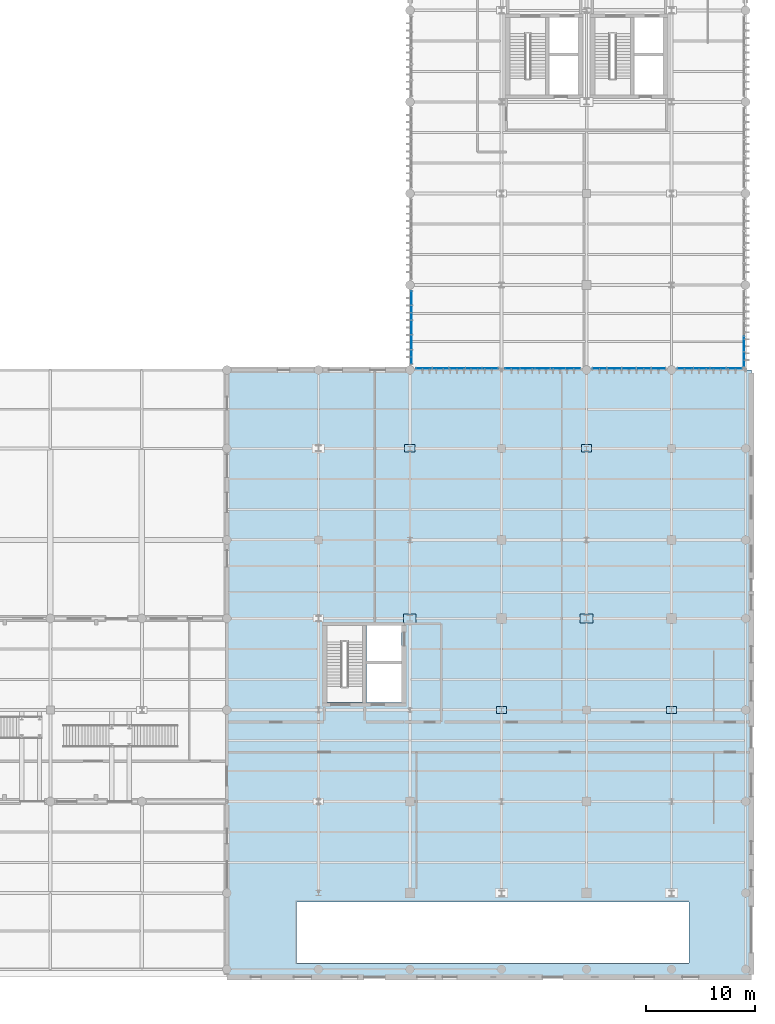
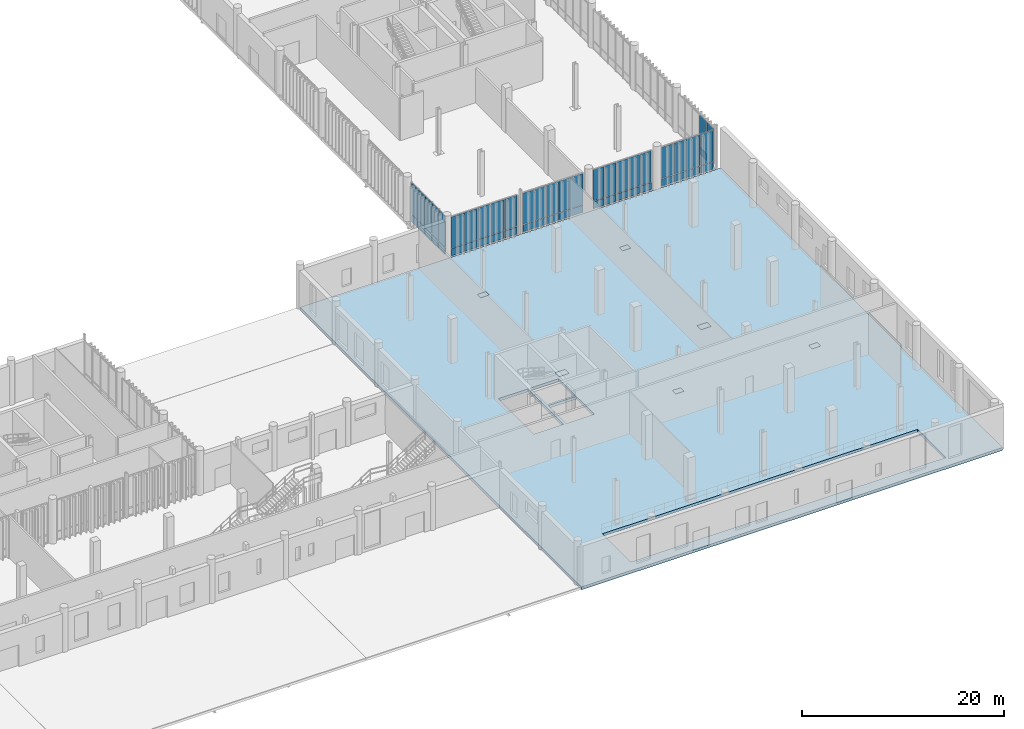
# One storey, part 81 of 112: 58 plates, 1 slab, 6 elements without a shape of their own.
"""IFC4 building model written with IfcOpenShell, lengths in metres."""

from ifc_helpers import new_model, si_unit, direction, frame, frame_2d, origin_with_axes, origin_2d_with_axis, place, context, subcontext, project, spatial, polyline, rectangle, outline, extrude, material, layer, layer_set, type_object, element, aggregate, save


model = new_model("IFC4")

# Units and contexts
model_context = context("Model", 3, precision=1e-05, world=origin_with_axes(), true_north=direction((0.0, 1.0)))
body_context = subcontext(model_context, "Body", "Model", "MODEL_VIEW")
ifc_project = project(units=[si_unit("LENGTHUNIT", "METRE"), si_unit("AREAUNIT", "SQUARE_METRE"), si_unit("VOLUMEUNIT", "CUBIC_METRE"), si_unit("PLANEANGLEUNIT", "RADIAN"), si_unit("MASSUNIT", "GRAM", prefix="KILO"), si_unit("THERMODYNAMICTEMPERATUREUNIT", "KELVIN")], contexts=[model_context])

# Site, building, storey
site_placement = place(None, origin_with_axes())
site = spatial("IfcSite", under=ifc_project, at=site_placement, CompositionType="ELEMENT")
building_placement = place(site_placement, origin_with_axes())
building = spatial("IfcBuilding", under=site, at=building_placement, Name="Montbau Bow Law Courts", CompositionType="ELEMENT")
storey_placement = place(building_placement, origin_with_axes())
storey = spatial("IfcBuildingStorey", under=building, at=storey_placement, Name="L00", CompositionType="ELEMENT", Elevation=0.0)

# Plates
ifc_material_1 = material(Name="Steel CSA G40.21 Grade 350WT (350 MPa)", Category="steel")
ifc_layer_1 = layer(ifc_material_1, 0.065, Name="Base Plate", Category="steel")
ifc_layer_set_1 = layer_set([ifc_layer_1], Name="Steel CSA G40.21 Grade 350WT (350 MPa)")
plate_type_1 = type_object("IfcPlateType", Name="PL-BAS-01", PredefinedType="USERDEFINED", material=ifc_layer_set_1)
for number, where, z_axis, x_axis, name in (
    (1, (138.6, 39.0, -0.065), (0.0, 0.0, 1.0), (1.0, 0.0, 0.0), "BP-288:plt_0016"),
    (2, (154.8, 39.0, -0.065), (0.0, 0.0, 1.0), (1.0, 0.0, 0.0), "BP-318:plt_0023"),
):
    element("IfcPlate", number, at=place(None, frame(where, z_axis=z_axis, x_axis=x_axis)), inside=storey, type_object=plate_type_1, Name=name, ObjectType="BASE_PLATE", PredefinedType="USERDEFINED", context=body_context, shape_type="SweptSolid", body=[
        extrude(rectangle(XDim=1.15, YDim=0.8, at=origin_2d_with_axis()), origin_with_axes(), (0.0, 0.0, 1.0), 0.065),
    ])
ifc_material_2 = material(Name="Steel CSA G40.21 Grade 350W (350 MPa)", Category="steel")
ifc_layer_2 = layer(ifc_material_2, 0.05, Name="Base Plate", Category="steel")
ifc_layer_set_2 = layer_set([ifc_layer_2], Name="Steel CSA G40.21 Grade 350W (350 MPa)")
plate_type_2 = type_object("IfcPlateType", Name="PL-BAS-02", PredefinedType="USERDEFINED", material=ifc_layer_set_2)
for number, where, z_axis, x_axis, name in (
    (3, (138.6, 54.6, -0.05), (0.0, 0.0, 1.0), (1.0, 0.0, 0.0), "BP-290:plt_0017"),
    (4, (147.0, 30.6, -0.05), (0.0, 0.0, 1.0), (1.0, 0.0, 0.0), "BP-302:plt_0019"),
    (5, (154.8, 54.6, -0.05), (0.0, 0.0, 1.0), (1.0, 0.0, 0.0), "BP-320:plt_0024"),
    (6, (162.6, 30.6, -0.05), (0.0, 0.0, 1.0), (1.0, 0.0, 0.0), "BP-332:plt_0028"),
):
    element("IfcPlate", number, at=place(None, frame(where, z_axis=z_axis, x_axis=x_axis)), inside=storey, type_object=plate_type_2, Name=name, ObjectType="BASE_PLATE", PredefinedType="USERDEFINED", context=body_context, shape_type="SweptSolid", body=[
        extrude(rectangle(XDim=0.96, YDim=0.68, at=origin_2d_with_axis()), origin_with_axes(), (0.0, 0.0, 1.0), 0.05),
    ])

# Curtain wall, plates
ifc_material_3 = material(Name="Thermally Broken Extruded Aluminium AA 6063-T6", Category="aluminium")
curtain_wall_type = type_object("IfcCurtainWallType", Name="CW-SLT-01", PredefinedType="NOTDEFINED", material=ifc_material_3)
curtain_wall_1_placement = place(None, frame((139.115, 61.94, 0.0), z_axis=(0.0, 0.0, 1.0), x_axis=(1.0, 0.0, 0.0)))
curtain_wall_1 = element("IfcCurtainWall", 7, at=curtain_wall_1_placement, inside=storey, type_object=curtain_wall_type, Name="CW-L00-259:cw_0259", PredefinedType="NOTDEFINED")
ifc_material_4 = material(Name="Triple-Glazed Low-E Argon Insulating Glass Unit", Category="glass")
ifc_layer_3 = layer(ifc_material_4, 0.044, Name="Curtain Panel", Category="glass")
ifc_layer_set_3 = layer_set([ifc_layer_3], Name="Triple-Glazed Low-E Argon Insulating Glass Unit")
plate_type_3 = type_object("IfcPlateType", Name="PL-CWP-01", PredefinedType="CURTAIN_PANEL", material=ifc_layer_set_3)
plate_1_placement = place(None, frame((139.183, 61.94, 0.979), z_axis=(0.0, -1.0, 0.0), x_axis=(1.0, 0.0, 0.0)))
plate_1 = element("IfcPlate", 8, at=plate_1_placement, type_object=plate_type_3, Name="CW-L00-259-P01-2:cw_0259_P01_2", PredefinedType="CURTAIN_PANEL", context=body_context, shape_type="SweptSolid", body=[
    extrude(rectangle(XDim=1.42, YDim=3.785, at=frame_2d((0.71, 1.8925), x_axis=(1.0, 0.0))), frame((0.0, 0.0, -0.022), z_axis=(0.0, 0.0, 1.0), x_axis=(1.0, 0.0, 0.0)), (0.0, 0.0, 1.0), 0.044),
])
plate_2_placement = place(None, frame((140.672, 61.94, 0.979), z_axis=(0.0, -1.0, 0.0), x_axis=(1.0, 0.0, 0.0)))
plate_2 = element("IfcPlate", 9, at=plate_2_placement, type_object=plate_type_3, Name="CW-L00-259-P02-2:cw_0259_P02_2", PredefinedType="CURTAIN_PANEL", context=body_context, shape_type="SweptSolid", body=[
    extrude(rectangle(XDim=1.456, YDim=3.785, at=frame_2d((0.728, 1.8925), x_axis=(1.0, 0.0))), frame((0.0, 0.0, -0.022), z_axis=(0.0, 0.0, 1.0), x_axis=(1.0, 0.0, 0.0)), (0.0, 0.0, 1.0), 0.044),
])
plate_3_placement = place(None, frame((142.197, 61.94, 0.979), z_axis=(0.0, -1.0, 0.0), x_axis=(1.0, 0.0, 0.0)))
plate_3 = element("IfcPlate", 10, at=plate_3_placement, type_object=plate_type_3, Name="CW-L00-259-P03-2:cw_0259_P03_2", PredefinedType="CURTAIN_PANEL", context=body_context, shape_type="SweptSolid", body=[
    extrude(rectangle(XDim=1.454, YDim=3.785, at=frame_2d((0.727, 1.8925), x_axis=(1.0, 0.0))), frame((0.0, 0.0, -0.022), z_axis=(0.0, 0.0, 1.0), x_axis=(1.0, 0.0, 0.0)), (0.0, 0.0, 1.0), 0.044),
])
plate_4_placement = place(None, frame((143.719, 61.94, 0.979), z_axis=(0.0, -1.0, 0.0), x_axis=(1.0, 0.0, 0.0)))
plate_4 = element("IfcPlate", 11, at=plate_4_placement, type_object=plate_type_3, Name="CW-L00-259-P04-2:cw_0259_P04_2", PredefinedType="CURTAIN_PANEL", context=body_context, shape_type="SweptSolid", body=[
    extrude(rectangle(XDim=1.456, YDim=3.785, at=frame_2d((0.728, 1.8925), x_axis=(1.0, 0.0))), frame((0.0, 0.0, -0.022), z_axis=(0.0, 0.0, 1.0), x_axis=(1.0, 0.0, 0.0)), (0.0, 0.0, 1.0), 0.044),
])
plate_5_placement = place(None, frame((145.243, 61.94, 0.979), z_axis=(0.0, -1.0, 0.0), x_axis=(1.0, 0.0, 0.0)))
plate_5 = element("IfcPlate", 12, at=plate_5_placement, type_object=plate_type_3, Name="CW-L00-259-P05-2:cw_0259_P05_2", PredefinedType="CURTAIN_PANEL", context=body_context, shape_type="SweptSolid", body=[
    extrude(rectangle(XDim=1.422, YDim=3.785, at=frame_2d((0.711, 1.8925), x_axis=(1.0, 0.0))), frame((0.0, 0.0, -0.022), z_axis=(0.0, 0.0, 1.0), x_axis=(1.0, 0.0, 0.0)), (0.0, 0.0, 1.0), 0.044),
])

curtain_wall_2_placement = place(None, frame((147.268, 61.94, 0.0), z_axis=(0.0, 0.0, 1.0), x_axis=(1.0, 0.0, 0.0)))
curtain_wall_2 = element("IfcCurtainWall", 13, at=curtain_wall_2_placement, inside=storey, type_object=curtain_wall_type, Name="CW-L00-260:cw_0260", PredefinedType="NOTDEFINED")
plate_6_placement = place(None, frame((147.33, 61.94, 0.982), z_axis=(0.0, -1.0, 0.0), x_axis=(1.0, 0.0, 0.0)))
plate_6 = element("IfcPlate", 14, at=plate_6_placement, type_object=plate_type_3, Name="CW-L00-260-P01-2:cw_0260_P01_2", PredefinedType="CURTAIN_PANEL", context=body_context, shape_type="SweptSolid", body=[
    extrude(rectangle(XDim=1.309, YDim=3.776, at=frame_2d((0.6545, 1.888), x_axis=(1.0, 0.0))), frame((0.0, 0.0, -0.022), z_axis=(0.0, 0.0, 1.0), x_axis=(1.0, 0.0, 0.0)), (0.0, 0.0, 1.0), 0.044),
])
plate_7_placement = place(None, frame((148.703, 61.94, 0.982), z_axis=(0.0, -1.0, 0.0), x_axis=(1.0, 0.0, 0.0)))
plate_7 = element("IfcPlate", 15, at=plate_7_placement, type_object=plate_type_3, Name="CW-L00-260-P02-2:cw_0260_P02_2", PredefinedType="CURTAIN_PANEL", context=body_context, shape_type="SweptSolid", body=[
    extrude(rectangle(XDim=1.34, YDim=3.776, at=frame_2d((0.67, 1.888), x_axis=(1.0, 0.0))), frame((0.0, 0.0, -0.022), z_axis=(0.0, 0.0, 1.0), x_axis=(1.0, 0.0, 0.0)), (0.0, 0.0, 1.0), 0.044),
])
plate_8_placement = place(None, frame((150.107, 61.94, 0.982), z_axis=(0.0, -1.0, 0.0), x_axis=(1.0, 0.0, 0.0)))
plate_8 = element("IfcPlate", 16, at=plate_8_placement, type_object=plate_type_3, Name="CW-L00-260-P03-2:cw_0260_P03_2", PredefinedType="CURTAIN_PANEL", context=body_context, shape_type="SweptSolid", body=[
    extrude(rectangle(XDim=1.339, YDim=3.776, at=frame_2d((0.6695, 1.888), x_axis=(1.0, 0.0))), frame((0.0, 0.0, -0.022), z_axis=(0.0, 0.0, 1.0), x_axis=(1.0, 0.0, 0.0)), (0.0, 0.0, 1.0), 0.044),
])
plate_9_placement = place(None, frame((151.51, 61.94, 0.982), z_axis=(0.0, -1.0, 0.0), x_axis=(1.0, 0.0, 0.0)))
plate_9 = element("IfcPlate", 17, at=plate_9_placement, type_object=plate_type_3, Name="CW-L00-260-P04-2:cw_0260_P04_2", PredefinedType="CURTAIN_PANEL", context=body_context, shape_type="SweptSolid", body=[
    extrude(rectangle(XDim=1.34, YDim=3.776, at=frame_2d((0.67, 1.888), x_axis=(1.0, 0.0))), frame((0.0, 0.0, -0.022), z_axis=(0.0, 0.0, 1.0), x_axis=(1.0, 0.0, 0.0)), (0.0, 0.0, 1.0), 0.044),
])
plate_10_placement = place(None, frame((152.914, 61.94, 0.982), z_axis=(0.0, -1.0, 0.0), x_axis=(1.0, 0.0, 0.0)))
plate_10 = element("IfcPlate", 18, at=plate_10_placement, type_object=plate_type_3, Name="CW-L00-260-P05-2:cw_0260_P05_2", PredefinedType="CURTAIN_PANEL", context=body_context, shape_type="SweptSolid", body=[
    extrude(rectangle(XDim=1.309, YDim=3.776, at=frame_2d((0.6545, 1.888), x_axis=(1.0, 0.0))), frame((0.0, 0.0, -0.022), z_axis=(0.0, 0.0, 1.0), x_axis=(1.0, 0.0, 0.0)), (0.0, 0.0, 1.0), 0.044),
])

curtain_wall_3_placement = place(None, frame((155.315, 61.94, 0.0), z_axis=(0.0, 0.0, 1.0), x_axis=(1.0, 0.0, 0.0)))
curtain_wall_3 = element("IfcCurtainWall", 19, at=curtain_wall_3_placement, inside=storey, type_object=curtain_wall_type, Name="CW-L00-261:cw_0261", PredefinedType="NOTDEFINED")
plate_11_placement = place(None, frame((155.391, 61.94, 0.979), z_axis=(0.0, -1.0, 0.0), x_axis=(1.0, 0.0, 0.0)))
plate_11 = element("IfcPlate", 20, at=plate_11_placement, type_object=plate_type_3, Name="CW-L00-261-P01-2:cw_0261_P01_2", PredefinedType="CURTAIN_PANEL", context=body_context, shape_type="SweptSolid", body=[
    extrude(rectangle(XDim=1.239, YDim=3.785, at=frame_2d((0.6195, 1.8925), x_axis=(1.0, 0.0))), frame((0.0, 0.0, -0.022), z_axis=(0.0, 0.0, 1.0), x_axis=(1.0, 0.0, 0.0)), (0.0, 0.0, 1.0), 0.044),
])
plate_12_placement = place(None, frame((156.709, 61.94, 0.979), z_axis=(0.0, -1.0, 0.0), x_axis=(1.0, 0.0, 0.0)))
plate_12 = element("IfcPlate", 21, at=plate_12_placement, type_object=plate_type_3, Name="CW-L00-261-P02-2:cw_0261_P02_2", PredefinedType="CURTAIN_PANEL", context=body_context, shape_type="SweptSolid", body=[
    extrude(rectangle(XDim=1.275, YDim=3.785, at=frame_2d((0.6375, 1.8925), x_axis=(1.0, 0.0))), frame((0.0, 0.0, -0.022), z_axis=(0.0, 0.0, 1.0), x_axis=(1.0, 0.0, 0.0)), (0.0, 0.0, 1.0), 0.044),
])
plate_13_placement = place(None, frame((158.063, 61.94, 0.979), z_axis=(0.0, -1.0, 0.0), x_axis=(1.0, 0.0, 0.0)))
plate_13 = element("IfcPlate", 22, at=plate_13_placement, type_object=plate_type_3, Name="CW-L00-261-P03-2:cw_0261_P03_2", PredefinedType="CURTAIN_PANEL", context=body_context, shape_type="SweptSolid", body=[
    extrude(rectangle(XDim=1.275, YDim=3.785, at=frame_2d((0.6375, 1.8925), x_axis=(1.0, 0.0))), frame((0.0, 0.0, -0.022), z_axis=(0.0, 0.0, 1.0), x_axis=(1.0, 0.0, 0.0)), (0.0, 0.0, 1.0), 0.044),
])
plate_14_placement = place(None, frame((159.416, 61.94, 0.979), z_axis=(0.0, -1.0, 0.0), x_axis=(1.0, 0.0, 0.0)))
plate_14 = element("IfcPlate", 23, at=plate_14_placement, type_object=plate_type_3, Name="CW-L00-261-P04-2:cw_0261_P04_2", PredefinedType="CURTAIN_PANEL", context=body_context, shape_type="SweptSolid", body=[
    extrude(rectangle(XDim=1.276, YDim=3.785, at=frame_2d((0.638, 1.8925), x_axis=(1.0, 0.0))), frame((0.0, 0.0, -0.022), z_axis=(0.0, 0.0, 1.0), x_axis=(1.0, 0.0, 0.0)), (0.0, 0.0, 1.0), 0.044),
])
plate_15_placement = place(None, frame((160.77, 61.94, 0.979), z_axis=(0.0, -1.0, 0.0), x_axis=(1.0, 0.0, 0.0)))
plate_15 = element("IfcPlate", 24, at=plate_15_placement, type_object=plate_type_3, Name="CW-L00-261-P05-2:cw_0261_P05_2", PredefinedType="CURTAIN_PANEL", context=body_context, shape_type="SweptSolid", body=[
    extrude(rectangle(XDim=1.239, YDim=3.785, at=frame_2d((0.6195, 1.8925), x_axis=(1.0, 0.0))), frame((0.0, 0.0, -0.022), z_axis=(0.0, 0.0, 1.0), x_axis=(1.0, 0.0, 0.0)), (0.0, 0.0, 1.0), 0.044),
])

curtain_wall_4_placement = place(None, frame((163.115, 61.94, 0.0), z_axis=(0.0, 0.0, 1.0), x_axis=(1.0, 0.0, 0.0)))
curtain_wall_4 = element("IfcCurtainWall", 25, at=curtain_wall_4_placement, inside=storey, type_object=curtain_wall_type, Name="CW-L00-262:cw_0262", PredefinedType="NOTDEFINED")
plate_16_placement = place(None, frame((163.183, 61.94, 0.982), z_axis=(0.0, -1.0, 0.0), x_axis=(1.0, 0.0, 0.0)))
plate_16 = element("IfcPlate", 26, at=plate_16_placement, type_object=plate_type_3, Name="CW-L00-262-P01-2:cw_0262_P01_2", PredefinedType="CURTAIN_PANEL", context=body_context, shape_type="SweptSolid", body=[
    extrude(rectangle(XDim=1.402, YDim=3.776, at=frame_2d((0.701, 1.888), x_axis=(1.0, 0.0))), frame((0.0, 0.0, -0.022), z_axis=(0.0, 0.0, 1.0), x_axis=(1.0, 0.0, 0.0)), (0.0, 0.0, 1.0), 0.044),
])
plate_17_placement = place(None, frame((164.653, 61.94, 0.982), z_axis=(0.0, -1.0, 0.0), x_axis=(1.0, 0.0, 0.0)))
plate_17 = element("IfcPlate", 27, at=plate_17_placement, type_object=plate_type_3, Name="CW-L00-262-P02-2:cw_0262_P02_2", PredefinedType="CURTAIN_PANEL", context=body_context, shape_type="SweptSolid", body=[
    extrude(rectangle(XDim=1.436, YDim=3.776, at=frame_2d((0.718, 1.888), x_axis=(1.0, 0.0))), frame((0.0, 0.0, -0.022), z_axis=(0.0, 0.0, 1.0), x_axis=(1.0, 0.0, 0.0)), (0.0, 0.0, 1.0), 0.044),
])
plate_18_placement = place(None, frame((166.157, 61.94, 0.982), z_axis=(0.0, -1.0, 0.0), x_axis=(1.0, 0.0, 0.0)))
plate_18 = element("IfcPlate", 28, at=plate_18_placement, type_object=plate_type_3, Name="CW-L00-262-P03-2:cw_0262_P03_2", PredefinedType="CURTAIN_PANEL", context=body_context, shape_type="SweptSolid", body=[
    extrude(rectangle(XDim=1.437, YDim=3.776, at=frame_2d((0.7185, 1.888), x_axis=(1.0, 0.0))), frame((0.0, 0.0, -0.022), z_axis=(0.0, 0.0, 1.0), x_axis=(1.0, 0.0, 0.0)), (0.0, 0.0, 1.0), 0.044),
])
plate_19_placement = place(None, frame((167.662, 61.94, 0.982), z_axis=(0.0, -1.0, 0.0), x_axis=(1.0, 0.0, 0.0)))
plate_19 = element("IfcPlate", 29, at=plate_19_placement, type_object=plate_type_3, Name="CW-L00-262-P04-2:cw_0262_P04_2", PredefinedType="CURTAIN_PANEL", context=body_context, shape_type="SweptSolid", body=[
    extrude(rectangle(XDim=1.403, YDim=3.776, at=frame_2d((0.7015, 1.888), x_axis=(1.0, 0.0))), frame((0.0, 0.0, -0.022), z_axis=(0.0, 0.0, 1.0), x_axis=(1.0, 0.0, 0.0)), (0.0, 0.0, 1.0), 0.044),
])

curtain_wall_5_placement = place(None, frame((138.74, 62.315, 0.0), z_axis=(0.0, 0.0, 1.0), x_axis=(1.0, 0.0, 0.0)))
curtain_wall_5 = element("IfcCurtainWall", 30, at=curtain_wall_5_placement, inside=storey, type_object=curtain_wall_type, Name="CW-L00-267:cw_0267", PredefinedType="NOTDEFINED")
plate_20_placement = place(None, frame((138.74, 62.391, 0.979), z_axis=(1.0, 0.0, 0.0), x_axis=(0.0, 1.0, 0.0)))
plate_20 = element("IfcPlate", 31, at=plate_20_placement, type_object=plate_type_3, Name="CW-L00-267-P01-2:cw_0267_P01_2", PredefinedType="CURTAIN_PANEL", context=body_context, shape_type="SweptSolid", body=[
    extrude(rectangle(XDim=1.239, YDim=3.785, at=frame_2d((0.6195, 1.8925), x_axis=(1.0, 0.0))), frame((0.0, 0.0, -0.022), z_axis=(0.0, 0.0, 1.0), x_axis=(1.0, 0.0, 0.0)), (0.0, 0.0, 1.0), 0.044),
])
plate_21_placement = place(None, frame((138.74, 63.709, 0.979), z_axis=(1.0, 0.0, 0.0), x_axis=(0.0, 1.0, 0.0)))
plate_21 = element("IfcPlate", 32, at=plate_21_placement, type_object=plate_type_3, Name="CW-L00-267-P02-2:cw_0267_P02_2", PredefinedType="CURTAIN_PANEL", context=body_context, shape_type="SweptSolid", body=[
    extrude(rectangle(XDim=1.275, YDim=3.785, at=frame_2d((0.6375, 1.8925), x_axis=(1.0, 0.0))), frame((0.0, 0.0, -0.022), z_axis=(0.0, 0.0, 1.0), x_axis=(1.0, 0.0, 0.0)), (0.0, 0.0, 1.0), 0.044),
])
plate_22_placement = place(None, frame((138.74, 65.063, 0.979), z_axis=(1.0, 0.0, 0.0), x_axis=(0.0, 1.0, 0.0)))
plate_22 = element("IfcPlate", 33, at=plate_22_placement, type_object=plate_type_3, Name="CW-L00-267-P03-2:cw_0267_P03_2", PredefinedType="CURTAIN_PANEL", context=body_context, shape_type="SweptSolid", body=[
    extrude(rectangle(XDim=1.275, YDim=3.785, at=frame_2d((0.6375, 1.8925), x_axis=(1.0, 0.0))), frame((0.0, 0.0, -0.022), z_axis=(0.0, 0.0, 1.0), x_axis=(1.0, 0.0, 0.0)), (0.0, 0.0, 1.0), 0.044),
])
plate_23_placement = place(None, frame((138.74, 66.416, 0.979), z_axis=(1.0, 0.0, 0.0), x_axis=(0.0, 1.0, 0.0)))
plate_23 = element("IfcPlate", 34, at=plate_23_placement, type_object=plate_type_3, Name="CW-L00-267-P04-2:cw_0267_P04_2", PredefinedType="CURTAIN_PANEL", context=body_context, shape_type="SweptSolid", body=[
    extrude(rectangle(XDim=1.276, YDim=3.785, at=frame_2d((0.638, 1.8925), x_axis=(1.0, 0.0))), frame((0.0, 0.0, -0.022), z_axis=(0.0, 0.0, 1.0), x_axis=(1.0, 0.0, 0.0)), (0.0, 0.0, 1.0), 0.044),
])
plate_24_placement = place(None, frame((138.74, 67.77, 0.979), z_axis=(1.0, 0.0, 0.0), x_axis=(0.0, 1.0, 0.0)))
plate_24 = element("IfcPlate", 35, at=plate_24_placement, type_object=plate_type_3, Name="CW-L00-267-P05-2:cw_0267_P05_2", PredefinedType="CURTAIN_PANEL", context=body_context, shape_type="SweptSolid", body=[
    extrude(rectangle(XDim=1.238, YDim=3.785, at=frame_2d((0.619, 1.8925), x_axis=(1.0, 0.0))), frame((0.0, 0.0, -0.022), z_axis=(0.0, 0.0, 1.0), x_axis=(1.0, 0.0, 0.0)), (0.0, 0.0, 1.0), 0.044),
])

curtain_wall_6_placement = place(None, frame((169.26, 62.068, 0.0), z_axis=(0.0, 0.0, 1.0), x_axis=(1.0, 0.0, 0.0)))
curtain_wall_6 = element("IfcCurtainWall", 36, at=curtain_wall_6_placement, inside=storey, type_object=curtain_wall_type, Name="CW-L00-272:cw_0272", PredefinedType="NOTDEFINED")
plate_25_placement = place(None, frame((169.26, 62.13, 0.982), z_axis=(1.0, 0.0, 0.0), x_axis=(0.0, 1.0, 0.0)))
plate_25 = element("IfcPlate", 37, at=plate_25_placement, type_object=plate_type_3, Name="CW-L00-272-P01-2:cw_0272_P01_2", PredefinedType="CURTAIN_PANEL", context=body_context, shape_type="SweptSolid", body=[
    extrude(rectangle(XDim=1.309, YDim=3.776, at=frame_2d((0.6545, 1.888), x_axis=(1.0, 0.0))), frame((0.0, 0.0, -0.022), z_axis=(0.0, 0.0, 1.0), x_axis=(1.0, 0.0, 0.0)), (0.0, 0.0, 1.0), 0.044),
])
plate_26_placement = place(None, frame((169.26, 63.503, 0.982), z_axis=(1.0, 0.0, 0.0), x_axis=(0.0, 1.0, 0.0)))
plate_26 = element("IfcPlate", 38, at=plate_26_placement, type_object=plate_type_3, Name="CW-L00-272-P02-2:cw_0272_P02_2", PredefinedType="CURTAIN_PANEL", context=body_context, shape_type="SweptSolid", body=[
    extrude(rectangle(XDim=1.34, YDim=3.776, at=frame_2d((0.67, 1.888), x_axis=(1.0, 0.0))), frame((0.0, 0.0, -0.022), z_axis=(0.0, 0.0, 1.0), x_axis=(1.0, 0.0, 0.0)), (0.0, 0.0, 1.0), 0.044),
])

# Plate
ifc_material_5 = material(Name="Insulated Ceramic-Frit Spandrel Glazing Unit", Category="glass")
ifc_layer_4 = layer(ifc_material_5, 0.056, Name="Curtain Panel", Category="glass")
ifc_layer_set_4 = layer_set([ifc_layer_4], Name="Insulated Ceramic-Frit Spandrel Glazing Unit")
plate_type_4 = type_object("IfcPlateType", Name="PL-CWP-02", PredefinedType="CURTAIN_PANEL", material=ifc_layer_set_4)
plate_27_placement = place(None, frame((139.183, 61.94, 0.058), z_axis=(0.0, -1.0, 0.0), x_axis=(1.0, 0.0, 0.0)))
plate_27 = element("IfcPlate", 39, at=plate_27_placement, type_object=plate_type_4, Name="CW-L00-259-P01-1:cw_0259_P01_1", PredefinedType="CURTAIN_PANEL", context=body_context, shape_type="SweptSolid", body=[
    extrude(rectangle(XDim=1.42, YDim=0.862, at=frame_2d((0.71, 0.431), x_axis=(1.0, 0.0))), frame((0.0, 0.0, -0.028), z_axis=(0.0, 0.0, 1.0), x_axis=(1.0, 0.0, 0.0)), (0.0, 0.0, 1.0), 0.056),
])

plate_28_placement = place(None, frame((140.672, 61.94, 0.058), z_axis=(0.0, -1.0, 0.0), x_axis=(1.0, 0.0, 0.0)))
plate_28 = element("IfcPlate", 40, at=plate_28_placement, type_object=plate_type_4, Name="CW-L00-259-P02-1:cw_0259_P02_1", PredefinedType="CURTAIN_PANEL", context=body_context, shape_type="SweptSolid", body=[
    extrude(rectangle(XDim=1.456, YDim=0.862, at=frame_2d((0.728, 0.431), x_axis=(1.0, 0.0))), frame((0.0, 0.0, -0.028), z_axis=(0.0, 0.0, 1.0), x_axis=(1.0, 0.0, 0.0)), (0.0, 0.0, 1.0), 0.056),
])

plate_29_placement = place(None, frame((142.197, 61.94, 0.058), z_axis=(0.0, -1.0, 0.0), x_axis=(1.0, 0.0, 0.0)))
plate_29 = element("IfcPlate", 41, at=plate_29_placement, type_object=plate_type_4, Name="CW-L00-259-P03-1:cw_0259_P03_1", PredefinedType="CURTAIN_PANEL", context=body_context, shape_type="SweptSolid", body=[
    extrude(rectangle(XDim=1.454, YDim=0.862, at=frame_2d((0.727, 0.431), x_axis=(1.0, 0.0))), frame((0.0, 0.0, -0.028), z_axis=(0.0, 0.0, 1.0), x_axis=(1.0, 0.0, 0.0)), (0.0, 0.0, 1.0), 0.056),
])

plate_30_placement = place(None, frame((143.719, 61.94, 0.058), z_axis=(0.0, -1.0, 0.0), x_axis=(1.0, 0.0, 0.0)))
plate_30 = element("IfcPlate", 42, at=plate_30_placement, type_object=plate_type_4, Name="CW-L00-259-P04-1:cw_0259_P04_1", PredefinedType="CURTAIN_PANEL", context=body_context, shape_type="SweptSolid", body=[
    extrude(rectangle(XDim=1.456, YDim=0.862, at=frame_2d((0.728, 0.431), x_axis=(1.0, 0.0))), frame((0.0, 0.0, -0.028), z_axis=(0.0, 0.0, 1.0), x_axis=(1.0, 0.0, 0.0)), (0.0, 0.0, 1.0), 0.056),
])

plate_31_placement = place(None, frame((145.243, 61.94, 0.058), z_axis=(0.0, -1.0, 0.0), x_axis=(1.0, 0.0, 0.0)))
plate_31 = element("IfcPlate", 43, at=plate_31_placement, type_object=plate_type_4, Name="CW-L00-259-P05-1:cw_0259_P05_1", PredefinedType="CURTAIN_PANEL", context=body_context, shape_type="SweptSolid", body=[
    extrude(rectangle(XDim=1.422, YDim=0.862, at=frame_2d((0.711, 0.431), x_axis=(1.0, 0.0))), frame((0.0, 0.0, -0.028), z_axis=(0.0, 0.0, 1.0), x_axis=(1.0, 0.0, 0.0)), (0.0, 0.0, 1.0), 0.056),
])

aggregate(curtain_wall_1, [plate_27, plate_1, plate_28, plate_2, plate_29, plate_3, plate_30, plate_4, plate_31, plate_5])

plate_32_placement = place(None, frame((147.33, 61.94, 0.062), z_axis=(0.0, -1.0, 0.0), x_axis=(1.0, 0.0, 0.0)))
plate_32 = element("IfcPlate", 44, at=plate_32_placement, type_object=plate_type_4, Name="CW-L00-260-P01-1:cw_0260_P01_1", PredefinedType="CURTAIN_PANEL", context=body_context, shape_type="SweptSolid", body=[
    extrude(rectangle(XDim=1.309, YDim=0.856, at=frame_2d((0.6545, 0.428), x_axis=(1.0, 0.0))), frame((0.0, 0.0, -0.028), z_axis=(0.0, 0.0, 1.0), x_axis=(1.0, 0.0, 0.0)), (0.0, 0.0, 1.0), 0.056),
])

plate_33_placement = place(None, frame((148.703, 61.94, 0.062), z_axis=(0.0, -1.0, 0.0), x_axis=(1.0, 0.0, 0.0)))
plate_33 = element("IfcPlate", 45, at=plate_33_placement, type_object=plate_type_4, Name="CW-L00-260-P02-1:cw_0260_P02_1", PredefinedType="CURTAIN_PANEL", context=body_context, shape_type="SweptSolid", body=[
    extrude(rectangle(XDim=1.34, YDim=0.856, at=frame_2d((0.67, 0.428), x_axis=(1.0, 0.0))), frame((0.0, 0.0, -0.028), z_axis=(0.0, 0.0, 1.0), x_axis=(1.0, 0.0, 0.0)), (0.0, 0.0, 1.0), 0.056),
])

plate_34_placement = place(None, frame((150.107, 61.94, 0.062), z_axis=(0.0, -1.0, 0.0), x_axis=(1.0, 0.0, 0.0)))
plate_34 = element("IfcPlate", 46, at=plate_34_placement, type_object=plate_type_4, Name="CW-L00-260-P03-1:cw_0260_P03_1", PredefinedType="CURTAIN_PANEL", context=body_context, shape_type="SweptSolid", body=[
    extrude(rectangle(XDim=1.339, YDim=0.856, at=frame_2d((0.6695, 0.428), x_axis=(1.0, 0.0))), frame((0.0, 0.0, -0.028), z_axis=(0.0, 0.0, 1.0), x_axis=(1.0, 0.0, 0.0)), (0.0, 0.0, 1.0), 0.056),
])

plate_35_placement = place(None, frame((151.51, 61.94, 0.062), z_axis=(0.0, -1.0, 0.0), x_axis=(1.0, 0.0, 0.0)))
plate_35 = element("IfcPlate", 47, at=plate_35_placement, type_object=plate_type_4, Name="CW-L00-260-P04-1:cw_0260_P04_1", PredefinedType="CURTAIN_PANEL", context=body_context, shape_type="SweptSolid", body=[
    extrude(rectangle(XDim=1.34, YDim=0.856, at=frame_2d((0.67, 0.428), x_axis=(1.0, 0.0))), frame((0.0, 0.0, -0.028), z_axis=(0.0, 0.0, 1.0), x_axis=(1.0, 0.0, 0.0)), (0.0, 0.0, 1.0), 0.056),
])

plate_36_placement = place(None, frame((152.914, 61.94, 0.062), z_axis=(0.0, -1.0, 0.0), x_axis=(1.0, 0.0, 0.0)))
plate_36 = element("IfcPlate", 48, at=plate_36_placement, type_object=plate_type_4, Name="CW-L00-260-P05-1:cw_0260_P05_1", PredefinedType="CURTAIN_PANEL", context=body_context, shape_type="SweptSolid", body=[
    extrude(rectangle(XDim=1.309, YDim=0.856, at=frame_2d((0.6545, 0.428), x_axis=(1.0, 0.0))), frame((0.0, 0.0, -0.028), z_axis=(0.0, 0.0, 1.0), x_axis=(1.0, 0.0, 0.0)), (0.0, 0.0, 1.0), 0.056),
])

aggregate(curtain_wall_2, [plate_32, plate_6, plate_33, plate_7, plate_34, plate_8, plate_35, plate_9, plate_36, plate_10])

plate_37_placement = place(None, frame((155.391, 61.94, 0.058), z_axis=(0.0, -1.0, 0.0), x_axis=(1.0, 0.0, 0.0)))
plate_37 = element("IfcPlate", 49, at=plate_37_placement, type_object=plate_type_4, Name="CW-L00-261-P01-1:cw_0261_P01_1", PredefinedType="CURTAIN_PANEL", context=body_context, shape_type="SweptSolid", body=[
    extrude(rectangle(XDim=1.239, YDim=0.862, at=frame_2d((0.6195, 0.431), x_axis=(1.0, 0.0))), frame((0.0, 0.0, -0.028), z_axis=(0.0, 0.0, 1.0), x_axis=(1.0, 0.0, 0.0)), (0.0, 0.0, 1.0), 0.056),
])

plate_38_placement = place(None, frame((156.709, 61.94, 0.058), z_axis=(0.0, -1.0, 0.0), x_axis=(1.0, 0.0, 0.0)))
plate_38 = element("IfcPlate", 50, at=plate_38_placement, type_object=plate_type_4, Name="CW-L00-261-P02-1:cw_0261_P02_1", PredefinedType="CURTAIN_PANEL", context=body_context, shape_type="SweptSolid", body=[
    extrude(rectangle(XDim=1.275, YDim=0.862, at=frame_2d((0.6375, 0.431), x_axis=(1.0, 0.0))), frame((0.0, 0.0, -0.028), z_axis=(0.0, 0.0, 1.0), x_axis=(1.0, 0.0, 0.0)), (0.0, 0.0, 1.0), 0.056),
])

plate_39_placement = place(None, frame((158.063, 61.94, 0.058), z_axis=(0.0, -1.0, 0.0), x_axis=(1.0, 0.0, 0.0)))
plate_39 = element("IfcPlate", 51, at=plate_39_placement, type_object=plate_type_4, Name="CW-L00-261-P03-1:cw_0261_P03_1", PredefinedType="CURTAIN_PANEL", context=body_context, shape_type="SweptSolid", body=[
    extrude(rectangle(XDim=1.275, YDim=0.862, at=frame_2d((0.6375, 0.431), x_axis=(1.0, 0.0))), frame((0.0, 0.0, -0.028), z_axis=(0.0, 0.0, 1.0), x_axis=(1.0, 0.0, 0.0)), (0.0, 0.0, 1.0), 0.056),
])

plate_40_placement = place(None, frame((159.416, 61.94, 0.058), z_axis=(0.0, -1.0, 0.0), x_axis=(1.0, 0.0, 0.0)))
plate_40 = element("IfcPlate", 52, at=plate_40_placement, type_object=plate_type_4, Name="CW-L00-261-P04-1:cw_0261_P04_1", PredefinedType="CURTAIN_PANEL", context=body_context, shape_type="SweptSolid", body=[
    extrude(rectangle(XDim=1.276, YDim=0.862, at=frame_2d((0.638, 0.431), x_axis=(1.0, 0.0))), frame((0.0, 0.0, -0.028), z_axis=(0.0, 0.0, 1.0), x_axis=(1.0, 0.0, 0.0)), (0.0, 0.0, 1.0), 0.056),
])

plate_41_placement = place(None, frame((160.77, 61.94, 0.058), z_axis=(0.0, -1.0, 0.0), x_axis=(1.0, 0.0, 0.0)))
plate_41 = element("IfcPlate", 53, at=plate_41_placement, type_object=plate_type_4, Name="CW-L00-261-P05-1:cw_0261_P05_1", PredefinedType="CURTAIN_PANEL", context=body_context, shape_type="SweptSolid", body=[
    extrude(rectangle(XDim=1.239, YDim=0.862, at=frame_2d((0.6195, 0.431), x_axis=(1.0, 0.0))), frame((0.0, 0.0, -0.028), z_axis=(0.0, 0.0, 1.0), x_axis=(1.0, 0.0, 0.0)), (0.0, 0.0, 1.0), 0.056),
])

aggregate(curtain_wall_3, [plate_37, plate_11, plate_38, plate_12, plate_39, plate_13, plate_40, plate_14, plate_41, plate_15])

plate_42_placement = place(None, frame((163.183, 61.94, 0.062), z_axis=(0.0, -1.0, 0.0), x_axis=(1.0, 0.0, 0.0)))
plate_42 = element("IfcPlate", 54, at=plate_42_placement, type_object=plate_type_4, Name="CW-L00-262-P01-1:cw_0262_P01_1", PredefinedType="CURTAIN_PANEL", context=body_context, shape_type="SweptSolid", body=[
    extrude(rectangle(XDim=1.402, YDim=0.856, at=frame_2d((0.701, 0.428), x_axis=(1.0, 0.0))), frame((0.0, 0.0, -0.028), z_axis=(0.0, 0.0, 1.0), x_axis=(1.0, 0.0, 0.0)), (0.0, 0.0, 1.0), 0.056),
])

plate_43_placement = place(None, frame((164.653, 61.94, 0.062), z_axis=(0.0, -1.0, 0.0), x_axis=(1.0, 0.0, 0.0)))
plate_43 = element("IfcPlate", 55, at=plate_43_placement, type_object=plate_type_4, Name="CW-L00-262-P02-1:cw_0262_P02_1", PredefinedType="CURTAIN_PANEL", context=body_context, shape_type="SweptSolid", body=[
    extrude(rectangle(XDim=1.436, YDim=0.856, at=frame_2d((0.718, 0.428), x_axis=(1.0, 0.0))), frame((0.0, 0.0, -0.028), z_axis=(0.0, 0.0, 1.0), x_axis=(1.0, 0.0, 0.0)), (0.0, 0.0, 1.0), 0.056),
])

plate_44_placement = place(None, frame((166.157, 61.94, 0.062), z_axis=(0.0, -1.0, 0.0), x_axis=(1.0, 0.0, 0.0)))
plate_44 = element("IfcPlate", 56, at=plate_44_placement, type_object=plate_type_4, Name="CW-L00-262-P03-1:cw_0262_P03_1", PredefinedType="CURTAIN_PANEL", context=body_context, shape_type="SweptSolid", body=[
    extrude(rectangle(XDim=1.437, YDim=0.856, at=frame_2d((0.7185, 0.428), x_axis=(1.0, 0.0))), frame((0.0, 0.0, -0.028), z_axis=(0.0, 0.0, 1.0), x_axis=(1.0, 0.0, 0.0)), (0.0, 0.0, 1.0), 0.056),
])

plate_45_placement = place(None, frame((167.662, 61.94, 0.062), z_axis=(0.0, -1.0, 0.0), x_axis=(1.0, 0.0, 0.0)))
plate_45 = element("IfcPlate", 57, at=plate_45_placement, type_object=plate_type_4, Name="CW-L00-262-P04-1:cw_0262_P04_1", PredefinedType="CURTAIN_PANEL", context=body_context, shape_type="SweptSolid", body=[
    extrude(rectangle(XDim=1.403, YDim=0.856, at=frame_2d((0.7015, 0.428), x_axis=(1.0, 0.0))), frame((0.0, 0.0, -0.028), z_axis=(0.0, 0.0, 1.0), x_axis=(1.0, 0.0, 0.0)), (0.0, 0.0, 1.0), 0.056),
])

aggregate(curtain_wall_4, [plate_42, plate_16, plate_43, plate_17, plate_44, plate_18, plate_45, plate_19])

plate_46_placement = place(None, frame((138.74, 62.391, 0.058), z_axis=(1.0, 0.0, 0.0), x_axis=(0.0, 1.0, 0.0)))
plate_46 = element("IfcPlate", 58, at=plate_46_placement, type_object=plate_type_4, Name="CW-L00-267-P01-1:cw_0267_P01_1", PredefinedType="CURTAIN_PANEL", context=body_context, shape_type="SweptSolid", body=[
    extrude(rectangle(XDim=1.239, YDim=0.862, at=frame_2d((0.6195, 0.431), x_axis=(1.0, 0.0))), frame((0.0, 0.0, -0.028), z_axis=(0.0, 0.0, 1.0), x_axis=(1.0, 0.0, 0.0)), (0.0, 0.0, 1.0), 0.056),
])

plate_47_placement = place(None, frame((138.74, 63.709, 0.058), z_axis=(1.0, 0.0, 0.0), x_axis=(0.0, 1.0, 0.0)))
plate_47 = element("IfcPlate", 59, at=plate_47_placement, type_object=plate_type_4, Name="CW-L00-267-P02-1:cw_0267_P02_1", PredefinedType="CURTAIN_PANEL", context=body_context, shape_type="SweptSolid", body=[
    extrude(rectangle(XDim=1.275, YDim=0.862, at=frame_2d((0.6375, 0.431), x_axis=(1.0, 0.0))), frame((0.0, 0.0, -0.028), z_axis=(0.0, 0.0, 1.0), x_axis=(1.0, 0.0, 0.0)), (0.0, 0.0, 1.0), 0.056),
])

plate_48_placement = place(None, frame((138.74, 65.063, 0.058), z_axis=(1.0, 0.0, 0.0), x_axis=(0.0, 1.0, 0.0)))
plate_48 = element("IfcPlate", 60, at=plate_48_placement, type_object=plate_type_4, Name="CW-L00-267-P03-1:cw_0267_P03_1", PredefinedType="CURTAIN_PANEL", context=body_context, shape_type="SweptSolid", body=[
    extrude(rectangle(XDim=1.275, YDim=0.862, at=frame_2d((0.6375, 0.431), x_axis=(1.0, 0.0))), frame((0.0, 0.0, -0.028), z_axis=(0.0, 0.0, 1.0), x_axis=(1.0, 0.0, 0.0)), (0.0, 0.0, 1.0), 0.056),
])

plate_49_placement = place(None, frame((138.74, 66.416, 0.058), z_axis=(1.0, 0.0, 0.0), x_axis=(0.0, 1.0, 0.0)))
plate_49 = element("IfcPlate", 61, at=plate_49_placement, type_object=plate_type_4, Name="CW-L00-267-P04-1:cw_0267_P04_1", PredefinedType="CURTAIN_PANEL", context=body_context, shape_type="SweptSolid", body=[
    extrude(rectangle(XDim=1.276, YDim=0.862, at=frame_2d((0.638, 0.431), x_axis=(1.0, 0.0))), frame((0.0, 0.0, -0.028), z_axis=(0.0, 0.0, 1.0), x_axis=(1.0, 0.0, 0.0)), (0.0, 0.0, 1.0), 0.056),
])

plate_50_placement = place(None, frame((138.74, 67.77, 0.058), z_axis=(1.0, 0.0, 0.0), x_axis=(0.0, 1.0, 0.0)))
plate_50 = element("IfcPlate", 62, at=plate_50_placement, type_object=plate_type_4, Name="CW-L00-267-P05-1:cw_0267_P05_1", PredefinedType="CURTAIN_PANEL", context=body_context, shape_type="SweptSolid", body=[
    extrude(rectangle(XDim=1.238, YDim=0.862, at=frame_2d((0.619, 0.431), x_axis=(1.0, 0.0))), frame((0.0, 0.0, -0.028), z_axis=(0.0, 0.0, 1.0), x_axis=(1.0, 0.0, 0.0)), (0.0, 0.0, 1.0), 0.056),
])

aggregate(curtain_wall_5, [plate_46, plate_20, plate_47, plate_21, plate_48, plate_22, plate_49, plate_23, plate_50, plate_24])

plate_51_placement = place(None, frame((169.26, 62.13, 0.062), z_axis=(1.0, 0.0, 0.0), x_axis=(0.0, 1.0, 0.0)))
plate_51 = element("IfcPlate", 63, at=plate_51_placement, type_object=plate_type_4, Name="CW-L00-272-P01-1:cw_0272_P01_1", PredefinedType="CURTAIN_PANEL", context=body_context, shape_type="SweptSolid", body=[
    extrude(rectangle(XDim=1.309, YDim=0.856, at=frame_2d((0.6545, 0.428), x_axis=(1.0, 0.0))), frame((0.0, 0.0, -0.028), z_axis=(0.0, 0.0, 1.0), x_axis=(1.0, 0.0, 0.0)), (0.0, 0.0, 1.0), 0.056),
])

plate_52_placement = place(None, frame((169.26, 63.503, 0.062), z_axis=(1.0, 0.0, 0.0), x_axis=(0.0, 1.0, 0.0)))
plate_52 = element("IfcPlate", 64, at=plate_52_placement, type_object=plate_type_4, Name="CW-L00-272-P02-1:cw_0272_P02_1", PredefinedType="CURTAIN_PANEL", context=body_context, shape_type="SweptSolid", body=[
    extrude(rectangle(XDim=1.34, YDim=0.856, at=frame_2d((0.67, 0.428), x_axis=(1.0, 0.0))), frame((0.0, 0.0, -0.028), z_axis=(0.0, 0.0, 1.0), x_axis=(1.0, 0.0, 0.0)), (0.0, 0.0, 1.0), 0.056),
])

aggregate(curtain_wall_6, [plate_51, plate_25, plate_52, plate_26])

# Slab
ifc_material_6 = material(Name="Concrete CSA A23.1 f'c 40 MPa", Category="concrete")
ifc_layer_5 = layer(ifc_material_6, 0.34, Name="Floor Slab", Category="concrete")
ifc_layer_set_5 = layer_set([ifc_layer_5], Name="Concrete CSA A23.1 f'c 40 MPa")
slab_type = type_object("IfcSlabType", Name="SL-FLR-07", PredefinedType="FLOOR", material=ifc_layer_set_5)
slab_placement = place(None, frame((0.0, 0.0, -0.34), z_axis=(0.0, 0.0, 1.0), x_axis=(1.0, 0.0, 0.0)))
element("IfcSlab", 65, at=slab_placement, inside=storey, type_object=slab_type, Name="SL-V6-L00:slb_0035", PredefinedType="FLOOR", context=body_context, shape_type="SweptSolid", body=[
    extrude(outline(polyline([(121.8, 6.08), (169.92, 6.08), (169.92, 61.8), (121.8, 61.8), (121.8, 6.08)]), holes=[polyline([(130.92, 31.288), (134.3, 31.288), (134.3, 38.33), (130.92, 38.33), (130.92, 31.288)]), polyline([(134.6, 31.27), (137.81, 31.27), (137.81, 34.821), (134.6, 34.821), (134.6, 31.27)]), polyline([(134.6, 35.061), (137.81, 35.061), (137.81, 38.33), (134.6, 38.33), (134.6, 35.061)]), polyline([(128.2, 7.4), (164.2, 7.4), (164.2, 13.0), (128.2, 13.0), (128.2, 7.4)])]), origin_with_axes(), (0.0, 0.0, 1.0), 0.34),
])

save(model, "model.ifc")
